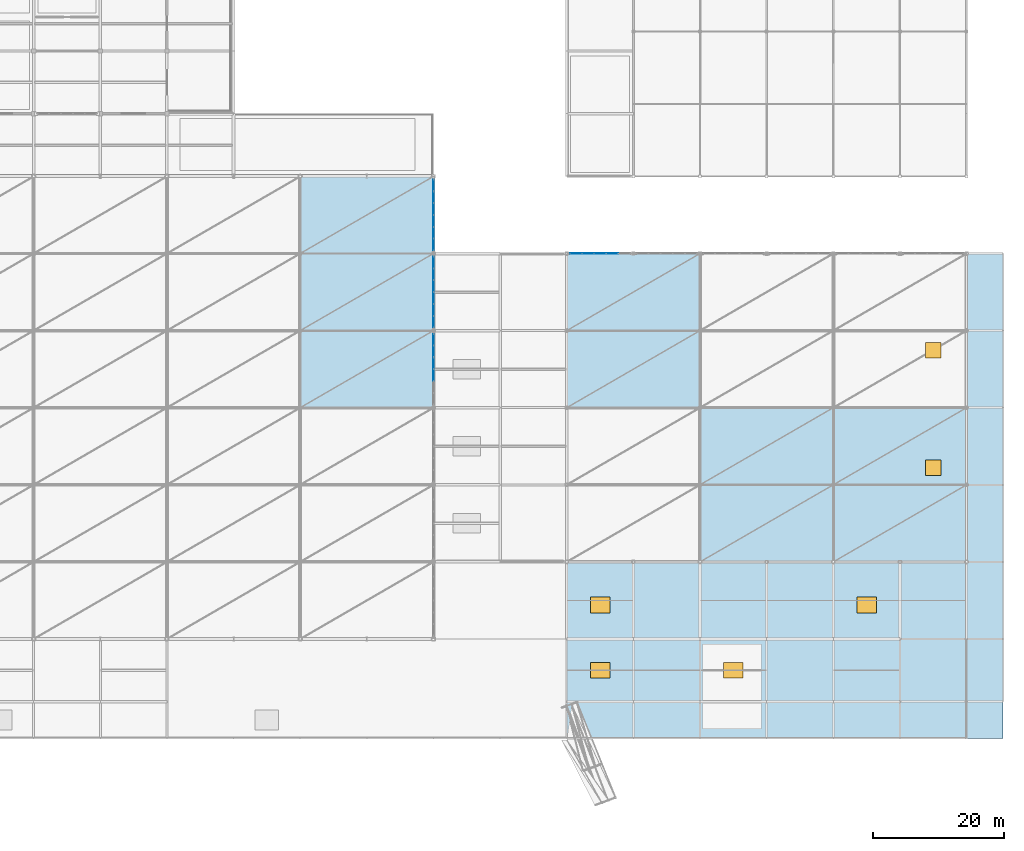
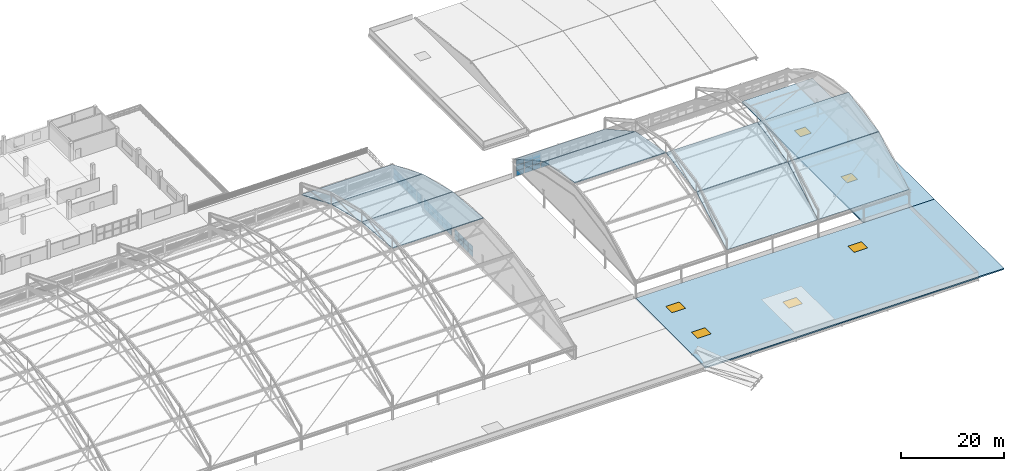
# One storey, part 111 of 135: 42 plates, 11 slabs, 6 windows, 6 openings, 4 elements without a shape of their own.
"""IFC4 building model written with IfcOpenShell, lengths in metres."""

from ifc_helpers import new_model, si_unit, direction, frame, origin, origin_2d, place, context, subcontext, project, spatial, polyline, rectangle, outline, extrude, material, layer, layer_set, type_object, element, fill, aggregate, save


model = new_model("IFC4")

# Units and contexts
model_context = context("Model", 3, precision=1e-05, world=origin(), true_north=direction((0.0, 1.0)))
body_context = subcontext(model_context, "Body", "Model", "MODEL_VIEW")
ifc_project = project(units=[si_unit("LENGTHUNIT", "METRE"), si_unit("AREAUNIT", "SQUARE_METRE"), si_unit("VOLUMEUNIT", "CUBIC_METRE"), si_unit("PLANEANGLEUNIT", "RADIAN"), si_unit("MASSUNIT", "GRAM", prefix="KILO")], contexts=[model_context])

# Site, building, storey
site_placement = place(None, origin())
site = spatial("IfcSite", under=ifc_project, at=site_placement, CompositionType="ELEMENT")
building_placement = place(site_placement, origin())
building = spatial("IfcBuilding", under=site, at=building_placement, Name="Brelvane Convention Centre", CompositionType="ELEMENT")
storey_placement = place(building_placement, frame((0.0, 0.0, 15.0)))
storey = spatial("IfcBuildingStorey", under=building, at=storey_placement, Name="L03", CompositionType="ELEMENT", Elevation=15.0)

# Curtain wall, plates
ifc_material_1 = material(Name="Anodised Aluminium Alloy 6063-T6", Category="aluminium")
curtain_wall_type_1 = type_object("IfcCurtainWallType", Name="Curtain Wall CW-HULL-N", PredefinedType="USERDEFINED", material=ifc_material_1)
curtain_wall_1_placement = place(storey_placement, origin())
curtain_wall_1 = element("IfcCurtainWall", 1, at=curtain_wall_1_placement, inside=storey, type_object=curtain_wall_type_1, Name="Curtain Wall CW-HULL-N L03-EXH-E-CLER-4", ObjectType="UNITISED", PredefinedType="USERDEFINED")
ifc_material_2 = material(Name="Double Glazed Low-E Laminated Unit")
ifc_layer_1 = layer(ifc_material_2, 0.0380859375)
ifc_layer_set_1 = layer_set([ifc_layer_1], Name="Double Glazed Low-E Laminated Unit")
plate_type_1 = type_object("IfcPlateType", Name="Curtain Panel CW-PG2", PredefinedType="CURTAIN_PANEL", material=ifc_layer_set_1)
plate_1_placement = place(storey_placement, frame((142.800048828125, 69.191650390625, 0.080078125), z_axis=(0.0, 0.0, 1.0), x_axis=(0.0, 1.0, 0.0)))
plate_1 = element("IfcPlate", 2, at=plate_1_placement, type_object=plate_type_1, Name="CW-HULL-N panel 3.1", PredefinedType="CURTAIN_PANEL", context=body_context, shape_type="SweptSolid", body=[
    extrude(rectangle(XDim=1.736572265625, YDim=0.0380859375, at=origin_2d()), origin(), (0.0, 0.0, 1.0), 1.179931640625),
])
plate_2_placement = place(storey_placement, frame((142.800048828125, 69.191650390625, 1.33984375), z_axis=(0.0, 0.0, 1.0), x_axis=(0.0, 1.0, 0.0)))
plate_2 = element("IfcPlate", 3, at=plate_2_placement, type_object=plate_type_1, Name="CW-HULL-N panel 3.2", PredefinedType="CURTAIN_PANEL", context=body_context, shape_type="SweptSolid", body=[
    extrude(rectangle(XDim=1.736572265625, YDim=0.0380859375, at=origin_2d()), origin(), (0.0, 0.0, 1.0), 1.179931640625),
])
plate_3_placement = place(storey_placement, frame((142.800048828125, 71.00830078125, 0.080078125), z_axis=(0.0, 0.0, 1.0), x_axis=(0.0, 1.0, 0.0)))
plate_3 = element("IfcPlate", 4, at=plate_3_placement, type_object=plate_type_1, Name="CW-HULL-N panel 4.1", PredefinedType="CURTAIN_PANEL", context=body_context, shape_type="SweptSolid", body=[
    extrude(rectangle(XDim=1.736572265625, YDim=0.0380859375, at=origin_2d()), origin(), (0.0, 0.0, 1.0), 1.179931640625),
])
plate_4_placement = place(storey_placement, frame((142.800048828125, 71.00830078125, 1.33984375), z_axis=(0.0, 0.0, 1.0), x_axis=(0.0, 1.0, 0.0)))
plate_4 = element("IfcPlate", 5, at=plate_4_placement, type_object=plate_type_1, Name="CW-HULL-N panel 4.2", PredefinedType="CURTAIN_PANEL", context=body_context, shape_type="SweptSolid", body=[
    extrude(rectangle(XDim=1.736572265625, YDim=0.0380859375, at=origin_2d()), origin(), (0.0, 0.0, 1.0), 1.179931640625),
])
plate_5_placement = place(storey_placement, frame((142.800048828125, 72.824951171875, 0.080078125), z_axis=(0.0, 0.0, 1.0), x_axis=(0.0, 1.0, 0.0)))
plate_5 = element("IfcPlate", 6, at=plate_5_placement, type_object=plate_type_1, Name="CW-HULL-N panel 5.1", PredefinedType="CURTAIN_PANEL", context=body_context, shape_type="SweptSolid", body=[
    extrude(rectangle(XDim=1.736572265625, YDim=0.0380859375, at=origin_2d()), origin(), (0.0, 0.0, 1.0), 1.179931640625),
])
plate_6_placement = place(storey_placement, frame((142.800048828125, 72.824951171875, 1.33984375), z_axis=(0.0, 0.0, 1.0), x_axis=(0.0, 1.0, 0.0)))
plate_6 = element("IfcPlate", 7, at=plate_6_placement, type_object=plate_type_1, Name="CW-HULL-N panel 5.2", PredefinedType="CURTAIN_PANEL", context=body_context, shape_type="SweptSolid", body=[
    extrude(rectangle(XDim=1.736572265625, YDim=0.0380859375, at=origin_2d()), origin(), (0.0, 0.0, 1.0), 1.179931640625),
])
plate_7_placement = place(storey_placement, frame((142.800048828125, 74.62158203125, 0.080078125), z_axis=(0.0, 0.0, 1.0), x_axis=(0.0, 1.0, 0.0)))
plate_7 = element("IfcPlate", 8, at=plate_7_placement, type_object=plate_type_1, Name="CW-HULL-N panel 6.1", PredefinedType="CURTAIN_PANEL", context=body_context, shape_type="SweptSolid", body=[
    extrude(rectangle(XDim=1.69677734375, YDim=0.0380859375, at=origin_2d()), origin(), (0.0, 0.0, 1.0), 1.179931640625),
])
plate_8_placement = place(storey_placement, frame((142.800048828125, 74.62158203125, 1.33984375), z_axis=(0.0, 0.0, 1.0), x_axis=(0.0, 1.0, 0.0)))
plate_8 = element("IfcPlate", 9, at=plate_8_placement, type_object=plate_type_1, Name="CW-HULL-N panel 6.2", PredefinedType="CURTAIN_PANEL", context=body_context, shape_type="SweptSolid", body=[
    extrude(rectangle(XDim=1.69677734375, YDim=0.0380859375, at=origin_2d()), origin(), (0.0, 0.0, 1.0), 1.179931640625),
])
aggregate(curtain_wall_1, [plate_1, plate_2, plate_3, plate_4, plate_5, plate_6, plate_7, plate_8])

curtain_wall_2_placement = place(storey_placement, origin())
curtain_wall_2 = element("IfcCurtainWall", 10, at=curtain_wall_2_placement, inside=storey, type_object=curtain_wall_type_1, Name="Curtain Wall CW-HULL-N L03-EXH-E-CLER-5", ObjectType="UNITISED", PredefinedType="USERDEFINED")
plate_9_placement = place(storey_placement, frame((142.800048828125, 77.37841796875, 0.080078125), z_axis=(0.0, 0.0, 1.0), x_axis=(0.0, 1.0, 0.0)))
plate_9 = element("IfcPlate", 11, at=plate_9_placement, type_object=plate_type_1, Name="CW-HULL-N panel 1.1", PredefinedType="CURTAIN_PANEL", context=body_context, shape_type="SweptSolid", body=[
    extrude(rectangle(XDim=1.69677734375, YDim=0.0380859375, at=origin_2d()), origin(), (0.0, 0.0, 1.0), 1.179931640625),
])
plate_10_placement = place(storey_placement, frame((142.800048828125, 77.37841796875, 1.33984375), z_axis=(0.0, 0.0, 1.0), x_axis=(0.0, 1.0, 0.0)))
plate_10 = element("IfcPlate", 12, at=plate_10_placement, type_object=plate_type_1, Name="CW-HULL-N panel 1.2", PredefinedType="CURTAIN_PANEL", context=body_context, shape_type="SweptSolid", body=[
    extrude(rectangle(XDim=1.69677734375, YDim=0.0380859375, at=origin_2d()), origin(), (0.0, 0.0, 1.0), 1.179931640625),
])
plate_11_placement = place(storey_placement, frame((142.800048828125, 79.175048828125, 0.080078125), z_axis=(0.0, 0.0, 1.0), x_axis=(0.0, 1.0, 0.0)))
plate_11 = element("IfcPlate", 13, at=plate_11_placement, type_object=plate_type_1, Name="CW-HULL-N panel 2.1", PredefinedType="CURTAIN_PANEL", context=body_context, shape_type="SweptSolid", body=[
    extrude(rectangle(XDim=1.736572265625, YDim=0.0380859375, at=origin_2d()), origin(), (0.0, 0.0, 1.0), 1.179931640625),
])
plate_12_placement = place(storey_placement, frame((142.800048828125, 79.175048828125, 1.33984375), z_axis=(0.0, 0.0, 1.0), x_axis=(0.0, 1.0, 0.0)))
plate_12 = element("IfcPlate", 14, at=plate_12_placement, type_object=plate_type_1, Name="CW-HULL-N panel 2.2", PredefinedType="CURTAIN_PANEL", context=body_context, shape_type="SweptSolid", body=[
    extrude(rectangle(XDim=1.736572265625, YDim=0.0380859375, at=origin_2d()), origin(), (0.0, 0.0, 1.0), 1.179931640625),
])
plate_13_placement = place(storey_placement, frame((142.800048828125, 80.99169921875, 0.080078125), z_axis=(0.0, 0.0, 1.0), x_axis=(0.0, 1.0, 0.0)))
plate_13 = element("IfcPlate", 15, at=plate_13_placement, type_object=plate_type_1, Name="CW-HULL-N panel 3.1", PredefinedType="CURTAIN_PANEL", context=body_context, shape_type="SweptSolid", body=[
    extrude(rectangle(XDim=1.736572265625, YDim=0.0380859375, at=origin_2d()), origin(), (0.0, 0.0, 1.0), 1.179931640625),
])
plate_14_placement = place(storey_placement, frame((142.800048828125, 80.99169921875, 1.33984375), z_axis=(0.0, 0.0, 1.0), x_axis=(0.0, 1.0, 0.0)))
plate_14 = element("IfcPlate", 16, at=plate_14_placement, type_object=plate_type_1, Name="CW-HULL-N panel 3.2", PredefinedType="CURTAIN_PANEL", context=body_context, shape_type="SweptSolid", body=[
    extrude(rectangle(XDim=1.736572265625, YDim=0.0380859375, at=origin_2d()), origin(), (0.0, 0.0, 1.0), 1.179931640625),
])
plate_15_placement = place(storey_placement, frame((142.800048828125, 82.808349609375, 0.080078125), z_axis=(0.0, 0.0, 1.0), x_axis=(0.0, 1.0, 0.0)))
plate_15 = element("IfcPlate", 17, at=plate_15_placement, type_object=plate_type_1, Name="CW-HULL-N panel 4.1", PredefinedType="CURTAIN_PANEL", context=body_context, shape_type="SweptSolid", body=[
    extrude(rectangle(XDim=1.736572265625, YDim=0.0380859375, at=origin_2d()), origin(), (0.0, 0.0, 1.0), 1.179931640625),
])
plate_16_placement = place(storey_placement, frame((142.800048828125, 82.808349609375, 1.33984375), z_axis=(0.0, 0.0, 1.0), x_axis=(0.0, 1.0, 0.0)))
plate_16 = element("IfcPlate", 18, at=plate_16_placement, type_object=plate_type_1, Name="CW-HULL-N panel 4.2", PredefinedType="CURTAIN_PANEL", context=body_context, shape_type="SweptSolid", body=[
    extrude(rectangle(XDim=1.736572265625, YDim=0.0380859375, at=origin_2d()), origin(), (0.0, 0.0, 1.0), 1.179931640625),
])
plate_17_placement = place(storey_placement, frame((142.800048828125, 84.625, 0.080078125), z_axis=(0.0, 0.0, 1.0), x_axis=(0.0, 1.0, 0.0)))
plate_17 = element("IfcPlate", 19, at=plate_17_placement, type_object=plate_type_1, Name="CW-HULL-N panel 5.1", PredefinedType="CURTAIN_PANEL", context=body_context, shape_type="SweptSolid", body=[
    extrude(rectangle(XDim=1.736572265625, YDim=0.0380859375, at=origin_2d()), origin(), (0.0, 0.0, 1.0), 1.179931640625),
])
plate_18_placement = place(storey_placement, frame((142.800048828125, 84.625, 1.33984375), z_axis=(0.0, 0.0, 1.0), x_axis=(0.0, 1.0, 0.0)))
plate_18 = element("IfcPlate", 20, at=plate_18_placement, type_object=plate_type_1, Name="CW-HULL-N panel 5.2", PredefinedType="CURTAIN_PANEL", context=body_context, shape_type="SweptSolid", body=[
    extrude(rectangle(XDim=1.736572265625, YDim=0.0380859375, at=origin_2d()), origin(), (0.0, 0.0, 1.0), 1.179931640625),
])
plate_19_placement = place(storey_placement, frame((142.800048828125, 86.421630859375, 0.080078125), z_axis=(0.0, 0.0, 1.0), x_axis=(0.0, 1.0, 0.0)))
plate_19 = element("IfcPlate", 21, at=plate_19_placement, type_object=plate_type_1, Name="CW-HULL-N panel 6.1", PredefinedType="CURTAIN_PANEL", context=body_context, shape_type="SweptSolid", body=[
    extrude(rectangle(XDim=1.69677734375, YDim=0.0380859375, at=origin_2d()), origin(), (0.0, 0.0, 1.0), 1.179931640625),
])
plate_20_placement = place(storey_placement, frame((142.800048828125, 86.421630859375, 1.33984375), z_axis=(0.0, 0.0, 1.0), x_axis=(0.0, 1.0, 0.0)))
plate_20 = element("IfcPlate", 22, at=plate_20_placement, type_object=plate_type_1, Name="CW-HULL-N panel 6.2", PredefinedType="CURTAIN_PANEL", context=body_context, shape_type="SweptSolid", body=[
    extrude(rectangle(XDim=1.69677734375, YDim=0.0380859375, at=origin_2d()), origin(), (0.0, 0.0, 1.0), 1.179931640625),
])
aggregate(curtain_wall_2, [plate_9, plate_10, plate_11, plate_12, plate_13, plate_14, plate_15, plate_16, plate_17, plate_18, plate_19, plate_20])

curtain_wall_3_placement = place(storey_placement, origin())
curtain_wall_3 = element("IfcCurtainWall", 23, at=curtain_wall_3_placement, inside=storey, type_object=curtain_wall_type_1, Name="Curtain Wall CW-HULL-N L03-EXH-E-CLER-6", ObjectType="UNITISED", PredefinedType="USERDEFINED")
plate_21_placement = place(storey_placement, frame((142.800048828125, 89.17822265625, 0.080078125), z_axis=(0.0, 0.0, 1.0), x_axis=(0.0, 1.0, 0.0)))
plate_21 = element("IfcPlate", 24, at=plate_21_placement, type_object=plate_type_1, Name="CW-HULL-N panel 1.1", PredefinedType="CURTAIN_PANEL", context=body_context, shape_type="SweptSolid", body=[
    extrude(rectangle(XDim=1.69677734375, YDim=0.0380859375, at=origin_2d()), origin(), (0.0, 0.0, 1.0), 1.179931640625),
])
plate_22_placement = place(storey_placement, frame((142.800048828125, 89.17822265625, 1.33984375), z_axis=(0.0, 0.0, 1.0), x_axis=(0.0, 1.0, 0.0)))
plate_22 = element("IfcPlate", 25, at=plate_22_placement, type_object=plate_type_1, Name="CW-HULL-N panel 1.2", PredefinedType="CURTAIN_PANEL", context=body_context, shape_type="SweptSolid", body=[
    extrude(rectangle(XDim=1.69677734375, YDim=0.0380859375, at=origin_2d()), origin(), (0.0, 0.0, 1.0), 1.179931640625),
])
plate_23_placement = place(storey_placement, frame((142.800048828125, 90.97509765625, 0.080078125), z_axis=(0.0, 0.0, 1.0), x_axis=(0.0, 1.0, 0.0)))
plate_23 = element("IfcPlate", 26, at=plate_23_placement, type_object=plate_type_1, Name="CW-HULL-N panel 2.1", PredefinedType="CURTAIN_PANEL", context=body_context, shape_type="SweptSolid", body=[
    extrude(rectangle(XDim=1.736572265625, YDim=0.0380859375, at=origin_2d()), origin(), (0.0, 0.0, 1.0), 1.179931640625),
])
plate_24_placement = place(storey_placement, frame((142.800048828125, 90.97509765625, 1.33984375), z_axis=(0.0, 0.0, 1.0), x_axis=(0.0, 1.0, 0.0)))
plate_24 = element("IfcPlate", 27, at=plate_24_placement, type_object=plate_type_1, Name="CW-HULL-N panel 2.2", PredefinedType="CURTAIN_PANEL", context=body_context, shape_type="SweptSolid", body=[
    extrude(rectangle(XDim=1.736572265625, YDim=0.0380859375, at=origin_2d()), origin(), (0.0, 0.0, 1.0), 1.179931640625),
])
plate_25_placement = place(storey_placement, frame((142.800048828125, 92.791748046875, 0.080078125), z_axis=(0.0, 0.0, 1.0), x_axis=(0.0, 1.0, 0.0)))
plate_25 = element("IfcPlate", 28, at=plate_25_placement, type_object=plate_type_1, Name="CW-HULL-N panel 3.1", PredefinedType="CURTAIN_PANEL", context=body_context, shape_type="SweptSolid", body=[
    extrude(rectangle(XDim=1.736572265625, YDim=0.0380859375, at=origin_2d()), origin(), (0.0, 0.0, 1.0), 1.179931640625),
])
plate_26_placement = place(storey_placement, frame((142.800048828125, 92.791748046875, 1.33984375), z_axis=(0.0, 0.0, 1.0), x_axis=(0.0, 1.0, 0.0)))
plate_26 = element("IfcPlate", 29, at=plate_26_placement, type_object=plate_type_1, Name="CW-HULL-N panel 3.2", PredefinedType="CURTAIN_PANEL", context=body_context, shape_type="SweptSolid", body=[
    extrude(rectangle(XDim=1.736572265625, YDim=0.0380859375, at=origin_2d()), origin(), (0.0, 0.0, 1.0), 1.179931640625),
])
plate_27_placement = place(storey_placement, frame((142.800048828125, 94.6083984375, 0.080078125), z_axis=(0.0, 0.0, 1.0), x_axis=(0.0, 1.0, 0.0)))
plate_27 = element("IfcPlate", 30, at=plate_27_placement, type_object=plate_type_1, Name="CW-HULL-N panel 4.1", PredefinedType="CURTAIN_PANEL", context=body_context, shape_type="SweptSolid", body=[
    extrude(rectangle(XDim=1.736572265625, YDim=0.0380859375, at=origin_2d()), origin(), (0.0, 0.0, 1.0), 1.179931640625),
])
plate_28_placement = place(storey_placement, frame((142.800048828125, 94.6083984375, 1.33984375), z_axis=(0.0, 0.0, 1.0), x_axis=(0.0, 1.0, 0.0)))
plate_28 = element("IfcPlate", 31, at=plate_28_placement, type_object=plate_type_1, Name="CW-HULL-N panel 4.2", PredefinedType="CURTAIN_PANEL", context=body_context, shape_type="SweptSolid", body=[
    extrude(rectangle(XDim=1.736572265625, YDim=0.0380859375, at=origin_2d()), origin(), (0.0, 0.0, 1.0), 1.179931640625),
])
plate_29_placement = place(storey_placement, frame((142.800048828125, 96.425048828125, 0.080078125), z_axis=(0.0, 0.0, 1.0), x_axis=(0.0, 1.0, 0.0)))
plate_29 = element("IfcPlate", 32, at=plate_29_placement, type_object=plate_type_1, Name="CW-HULL-N panel 5.1", PredefinedType="CURTAIN_PANEL", context=body_context, shape_type="SweptSolid", body=[
    extrude(rectangle(XDim=1.736572265625, YDim=0.0380859375, at=origin_2d()), origin(), (0.0, 0.0, 1.0), 1.179931640625),
])
plate_30_placement = place(storey_placement, frame((142.800048828125, 96.425048828125, 1.33984375), z_axis=(0.0, 0.0, 1.0), x_axis=(0.0, 1.0, 0.0)))
plate_30 = element("IfcPlate", 33, at=plate_30_placement, type_object=plate_type_1, Name="CW-HULL-N panel 5.2", PredefinedType="CURTAIN_PANEL", context=body_context, shape_type="SweptSolid", body=[
    extrude(rectangle(XDim=1.736572265625, YDim=0.0380859375, at=origin_2d()), origin(), (0.0, 0.0, 1.0), 1.179931640625),
])
plate_31_placement = place(storey_placement, frame((142.800048828125, 98.2216796875, 0.080078125), z_axis=(0.0, 0.0, 1.0), x_axis=(0.0, 1.0, 0.0)))
plate_31 = element("IfcPlate", 34, at=plate_31_placement, type_object=plate_type_1, Name="CW-HULL-N panel 6.1", PredefinedType="CURTAIN_PANEL", context=body_context, shape_type="SweptSolid", body=[
    extrude(rectangle(XDim=1.69677734375, YDim=0.0380859375, at=origin_2d()), origin(), (0.0, 0.0, 1.0), 1.179931640625),
])
plate_32_placement = place(storey_placement, frame((142.800048828125, 98.2216796875, 1.33984375), z_axis=(0.0, 0.0, 1.0), x_axis=(0.0, 1.0, 0.0)))
plate_32 = element("IfcPlate", 35, at=plate_32_placement, type_object=plate_type_1, Name="CW-HULL-N panel 6.2", PredefinedType="CURTAIN_PANEL", context=body_context, shape_type="SweptSolid", body=[
    extrude(rectangle(XDim=1.69677734375, YDim=0.0380859375, at=origin_2d()), origin(), (0.0, 0.0, 1.0), 1.179931640625),
])
aggregate(curtain_wall_3, [plate_21, plate_22, plate_23, plate_24, plate_25, plate_26, plate_27, plate_28, plate_29, plate_30, plate_31, plate_32])

ifc_material_3 = material(Name="Anodised Aluminium Alloy 6063-T6", Category="aluminium")
curtain_wall_type_2 = type_object("IfcCurtainWallType", Name="Curtain Wall CW-PLEN-E", PredefinedType="USERDEFINED", material=ifc_material_3)
curtain_wall_4_placement = place(storey_placement, origin())
curtain_wall_4 = element("IfcCurtainWall", 36, at=curtain_wall_4_placement, inside=storey, type_object=curtain_wall_type_2, Name="Curtain Wall CW-PLEN-E L03-PLEN-N-CLER-1", ObjectType="UNITISED", PredefinedType="USERDEFINED")
ifc_material_4 = material(Name="Double Glazed Low-E Laminated Unit")
ifc_layer_2 = layer(ifc_material_4, 0.0439453125)
ifc_layer_set_2 = layer_set([ifc_layer_2], Name="Double Glazed Low-E Laminated Unit")
plate_type_2 = type_object("IfcPlateType", Name="Curtain Panel CW-PG3", PredefinedType="CURTAIN_PANEL", material=ifc_layer_set_2)
plate_33_placement = place(storey_placement, frame((164.5986328125, 87.800048828125, 0.070068359375), z_axis=(0.0, 0.0, 1.0), x_axis=(1.0, 0.0, 0.0)))
plate_33 = element("IfcPlate", 37, at=plate_33_placement, type_object=plate_type_2, Name="CW-PLEN-E panel 1.1", PredefinedType="CURTAIN_PANEL", context=body_context, shape_type="SweptSolid", body=[
    extrude(rectangle(XDim=1.74755859375, YDim=0.0439453125, at=origin_2d()), origin(), (0.0, 0.0, 1.0), 1.16162109375),
])
plate_34_placement = place(storey_placement, frame((164.5986328125, 87.800048828125, 1.3017578125), z_axis=(0.0, 0.0, 1.0), x_axis=(1.0, 0.0, 0.0)))
plate_34 = element("IfcPlate", 38, at=plate_34_placement, type_object=plate_type_2, Name="CW-PLEN-E panel 1.2", PredefinedType="CURTAIN_PANEL", context=body_context, shape_type="SweptSolid", body=[
    extrude(rectangle(XDim=1.74755859375, YDim=0.0439453125, at=origin_2d()), origin(), (0.0, 0.0, 1.0), 1.196533203125),
])
plate_35_placement = place(storey_placement, frame((164.5986328125, 87.800048828125, 2.568359375), z_axis=(0.0, 0.0, 1.0), x_axis=(1.0, 0.0, 0.0)))
plate_35 = element("IfcPlate", 39, at=plate_35_placement, type_object=plate_type_2, Name="CW-PLEN-E panel 1.3", PredefinedType="CURTAIN_PANEL", context=body_context, shape_type="SweptSolid", body=[
    extrude(rectangle(XDim=1.74755859375, YDim=0.0439453125, at=origin_2d()), origin(), (0.0, 0.0, 1.0), 1.16162109375),
])
plate_36_placement = place(storey_placement, frame((166.43994140625, 87.800048828125, 0.070068359375), z_axis=(0.0, 0.0, 1.0), x_axis=(1.0, 0.0, 0.0)))
plate_36 = element("IfcPlate", 40, at=plate_36_placement, type_object=plate_type_2, Name="CW-PLEN-E panel 2.1", PredefinedType="CURTAIN_PANEL", context=body_context, shape_type="SweptSolid", body=[
    extrude(rectangle(XDim=1.784912109375, YDim=0.0439453125, at=origin_2d()), origin(), (0.0, 0.0, 1.0), 1.16162109375),
])
plate_37_placement = place(storey_placement, frame((166.43994140625, 87.800048828125, 1.3017578125), z_axis=(0.0, 0.0, 1.0), x_axis=(1.0, 0.0, 0.0)))
plate_37 = element("IfcPlate", 41, at=plate_37_placement, type_object=plate_type_2, Name="CW-PLEN-E panel 2.2", PredefinedType="CURTAIN_PANEL", context=body_context, shape_type="SweptSolid", body=[
    extrude(rectangle(XDim=1.784912109375, YDim=0.0439453125, at=origin_2d()), origin(), (0.0, 0.0, 1.0), 1.196533203125),
])
plate_38_placement = place(storey_placement, frame((166.43994140625, 87.800048828125, 2.568359375), z_axis=(0.0, 0.0, 1.0), x_axis=(1.0, 0.0, 0.0)))
plate_38 = element("IfcPlate", 42, at=plate_38_placement, type_object=plate_type_2, Name="CW-PLEN-E panel 2.3", PredefinedType="CURTAIN_PANEL", context=body_context, shape_type="SweptSolid", body=[
    extrude(rectangle(XDim=1.784912109375, YDim=0.0439453125, at=origin_2d()), origin(), (0.0, 0.0, 1.0), 1.16162109375),
])
plate_39_placement = place(storey_placement, frame((168.300048828125, 87.800048828125, 0.070068359375), z_axis=(0.0, 0.0, 1.0), x_axis=(1.0, 0.0, 0.0)))
plate_39 = element("IfcPlate", 43, at=plate_39_placement, type_object=plate_type_2, Name="CW-PLEN-E panel 3.1", PredefinedType="CURTAIN_PANEL", context=body_context, shape_type="SweptSolid", body=[
    extrude(rectangle(XDim=1.784912109375, YDim=0.0439453125, at=origin_2d()), origin(), (0.0, 0.0, 1.0), 1.16162109375),
])
plate_40_placement = place(storey_placement, frame((168.300048828125, 87.800048828125, 1.3017578125), z_axis=(0.0, 0.0, 1.0), x_axis=(1.0, 0.0, 0.0)))
plate_40 = element("IfcPlate", 44, at=plate_40_placement, type_object=plate_type_2, Name="CW-PLEN-E panel 3.2", PredefinedType="CURTAIN_PANEL", context=body_context, shape_type="SweptSolid", body=[
    extrude(rectangle(XDim=1.784912109375, YDim=0.0439453125, at=origin_2d()), origin(), (0.0, 0.0, 1.0), 1.196533203125),
])
plate_41_placement = place(storey_placement, frame((168.300048828125, 87.800048828125, 2.568359375), z_axis=(0.0, 0.0, 1.0), x_axis=(1.0, 0.0, 0.0)))
plate_41 = element("IfcPlate", 45, at=plate_41_placement, type_object=plate_type_2, Name="CW-PLEN-E panel 3.3", PredefinedType="CURTAIN_PANEL", context=body_context, shape_type="SweptSolid", body=[
    extrude(rectangle(XDim=1.784912109375, YDim=0.0439453125, at=origin_2d()), origin(), (0.0, 0.0, 1.0), 1.16162109375),
])
plate_42_placement = place(storey_placement, frame((170.159912109375, 87.800048828125, 0.070068359375), z_axis=(0.0, 0.0, 1.0), x_axis=(1.0, 0.0, 0.0)))
plate_42 = element("IfcPlate", 46, at=plate_42_placement, type_object=plate_type_2, Name="CW-PLEN-E panel 4.1", PredefinedType="CURTAIN_PANEL", context=body_context, shape_type="SweptSolid", body=[
    extrude(rectangle(XDim=1.784912109375, YDim=0.0439453125, at=origin_2d()), origin(), (0.0, 0.0, 1.0), 1.16162109375),
])
aggregate(curtain_wall_4, [plate_33, plate_34, plate_35, plate_36, plate_37, plate_38, plate_39, plate_40, plate_41, plate_42])

# Slab, openings, windows
ifc_material_5 = material(Name="Concrete M40", Category="concrete")
ifc_layer_3 = layer(ifc_material_5, 0.300048828125)
ifc_layer_set_3 = layer_set([ifc_layer_3], Name="Concrete M40")
slab_type_1 = type_object("IfcSlabType", Name="Structural Slab SL-ROOF-230", PredefinedType="ROOF", material=ifc_layer_set_3)
slab_1_placement = place(storey_placement, frame((0.0, 0.0, -0.300048828125)))
slab_1 = element("IfcSlab", 47, at=slab_1_placement, inside=storey, type_object=slab_type_1, Name="L03 LowRoof Slab V5-LOW-ROOF", PredefinedType="ROOF", context=body_context, shape_type="SweptSolid", body=[
    extrude(outline(polyline([(163.199951171875, 13.60009765625), (230.0, 13.60009765625), (230.0, 40.60009765625), (163.199951171875, 40.60009765625), (163.199951171875, 13.60009765625)])), origin(), (0.0, 0.0, 1.0), 0.300048828125),
])
opening_1_placement = place(slab_1_placement, frame((168.300048828125, 24.0, 0.0)))
opening_1 = element("IfcOpeningElement", 48, at=opening_1_placement, cuts=slab_1, Name="Opening SK-01", PredefinedType="OPENING", context=body_context, shape_type="SweptSolid", body=[
    extrude(rectangle(XDim=3.0, YDim=2.39990234375, at=origin_2d()), origin(), (0.0, 0.0, 1.0), 0.300048828125),
])
opening_2_placement = place(slab_1_placement, frame((188.699951171875, 24.0, 0.0)))
opening_2 = element("IfcOpeningElement", 49, at=opening_2_placement, cuts=slab_1, Name="Opening SK-01", PredefinedType="OPENING", context=body_context, shape_type="SweptSolid", body=[
    extrude(rectangle(XDim=3.0, YDim=2.39990234375, at=origin_2d()), origin(), (0.0, 0.0, 1.0), 0.300048828125),
])
opening_3_placement = place(slab_1_placement, frame((209.10009765625, 34.0, 0.0)))
opening_3 = element("IfcOpeningElement", 50, at=opening_3_placement, cuts=slab_1, Name="Opening SK-01", PredefinedType="OPENING", context=body_context, shape_type="SweptSolid", body=[
    extrude(rectangle(XDim=3.0, YDim=2.39990234375, at=origin_2d()), origin(), (0.0, 0.0, 1.0), 0.300048828125),
])
opening_4_placement = place(slab_1_placement, frame((168.300048828125, 34.0, 0.0)))
opening_4 = element("IfcOpeningElement", 51, at=opening_4_placement, cuts=slab_1, Name="Opening SK-01", PredefinedType="OPENING", context=body_context, shape_type="SweptSolid", body=[
    extrude(rectangle(XDim=3.0, YDim=2.39990234375, at=origin_2d()), origin(), (0.0, 0.0, 1.0), 0.300048828125),
])
ifc_material_6 = material(Name="Double Glazed Low-E Laminated Unit")
window_type_1 = type_object("IfcWindowType", Name="Window SK-01", PartitioningType="SINGLE_PANEL", PredefinedType="SKYLIGHT", material=ifc_material_6)
window_1_placement = place(opening_1_placement, frame((0.0, 0.0, 0.25)))
window_1 = element("IfcWindow", 52, at=window_1_placement, inside=storey, type_object=window_type_1, Name="Roof Skylight L03-SK08", OverallHeight=2.39990234375, OverallWidth=3.0, PartitioningType="SINGLE_PANEL", PredefinedType="SKYLIGHT", context=body_context, shape_type="SweptSolid", body=[
    extrude(rectangle(XDim=3.0, YDim=2.39990234375, at=origin_2d()), origin(), (0.0, 0.0, 1.0), 0.050048828125),
])
fill(opening_1, window_1)
window_2_placement = place(opening_2_placement, frame((0.0, 0.0, 0.25)))
window_2 = element("IfcWindow", 53, at=window_2_placement, inside=storey, type_object=window_type_1, Name="Roof Skylight L03-SK09", OverallHeight=2.39990234375, OverallWidth=3.0, PartitioningType="SINGLE_PANEL", PredefinedType="SKYLIGHT", context=body_context, shape_type="SweptSolid", body=[
    extrude(rectangle(XDim=3.0, YDim=2.39990234375, at=origin_2d()), origin(), (0.0, 0.0, 1.0), 0.050048828125),
])
fill(opening_2, window_2)
window_3_placement = place(opening_3_placement, frame((0.0, 0.0, 0.25)))
window_3 = element("IfcWindow", 54, at=window_3_placement, inside=storey, type_object=window_type_1, Name="Roof Skylight L03-SK10", OverallHeight=2.39990234375, OverallWidth=3.0, PartitioningType="SINGLE_PANEL", PredefinedType="SKYLIGHT", context=body_context, shape_type="SweptSolid", body=[
    extrude(rectangle(XDim=3.0, YDim=2.39990234375, at=origin_2d()), origin(), (0.0, 0.0, 1.0), 0.050048828125),
])
fill(opening_3, window_3)
window_4_placement = place(opening_4_placement, frame((0.0, 0.0, 0.25)))
window_4 = element("IfcWindow", 55, at=window_4_placement, inside=storey, type_object=window_type_1, Name="Roof Skylight L03-SK11", OverallHeight=2.39990234375, OverallWidth=3.0, PartitioningType="SINGLE_PANEL", PredefinedType="SKYLIGHT", context=body_context, shape_type="SweptSolid", body=[
    extrude(rectangle(XDim=3.0, YDim=2.39990234375, at=origin_2d()), origin(), (0.0, 0.0, 1.0), 0.050048828125),
])
fill(opening_4, window_4)

slab_2_placement = place(storey_placement, frame((0.0, 0.0, -0.300048828125)))
slab_2 = element("IfcSlab", 56, at=slab_2_placement, inside=storey, type_object=slab_type_1, Name="L03 LowRoof Slab PLEN-EAST-ROOF", PredefinedType="ROOF", context=body_context, shape_type="SweptSolid", body=[
    extrude(outline(polyline([(214.199951171875, 40.60009765625), (230.0, 40.60009765625), (230.0, 87.800048828125), (214.199951171875, 87.800048828125), (214.199951171875, 40.60009765625)])), origin(), (0.0, 0.0, 1.0), 0.300048828125),
])
opening_5_placement = place(slab_2_placement, frame((219.300048828125, 55.0, 0.0)))
opening_5 = element("IfcOpeningElement", 57, at=opening_5_placement, cuts=slab_2, Name="Opening SK-04", PredefinedType="OPENING", context=body_context, shape_type="SweptSolid", body=[
    extrude(rectangle(XDim=2.39990234375, YDim=2.39990234375, at=origin_2d()), origin(), (0.0, 0.0, 1.0), 0.300048828125),
])
opening_6_placement = place(slab_2_placement, frame((219.300048828125, 73.0, 0.0)))
opening_6 = element("IfcOpeningElement", 58, at=opening_6_placement, cuts=slab_2, Name="Opening SK-04", PredefinedType="OPENING", context=body_context, shape_type="SweptSolid", body=[
    extrude(rectangle(XDim=2.39990234375, YDim=2.39990234375, at=origin_2d()), origin(), (0.0, 0.0, 1.0), 0.300048828125),
])
ifc_material_7 = material(Name="Double Glazed Low-E Laminated Unit")
window_type_2 = type_object("IfcWindowType", Name="Window SK-04", PartitioningType="SINGLE_PANEL", PredefinedType="SKYLIGHT", material=ifc_material_7)
window_5_placement = place(opening_5_placement, frame((0.0, 0.0, 0.25)))
window_5 = element("IfcWindow", 59, at=window_5_placement, inside=storey, type_object=window_type_2, Name="Roof Skylight L03-SK15", OverallHeight=2.39990234375, OverallWidth=2.39990234375, PartitioningType="SINGLE_PANEL", PredefinedType="SKYLIGHT", context=body_context, shape_type="SweptSolid", body=[
    extrude(rectangle(XDim=2.39990234375, YDim=2.39990234375, at=origin_2d()), origin(), (0.0, 0.0, 1.0), 0.050048828125),
])
fill(opening_5, window_5)
window_6_placement = place(opening_6_placement, frame((0.0, 0.0, 0.25)))
window_6 = element("IfcWindow", 60, at=window_6_placement, inside=storey, type_object=window_type_2, Name="Roof Skylight L03-SK16", OverallHeight=2.39990234375, OverallWidth=2.39990234375, PartitioningType="SINGLE_PANEL", PredefinedType="SKYLIGHT", context=body_context, shape_type="SweptSolid", body=[
    extrude(rectangle(XDim=2.39990234375, YDim=2.39990234375, at=origin_2d()), origin(), (0.0, 0.0, 1.0), 0.050048828125),
])
fill(opening_6, window_6)

# Slabs
ifc_material_8 = material(Name="Steel E350 (350 MPa)", Category="steel")
ifc_layer_4 = layer(ifc_material_8, 0.179931640625)
ifc_layer_set_4 = layer_set([ifc_layer_4], Name="Steel E350 (350 MPa)")
slab_type_2 = type_object("IfcSlabType", Name="Structural Slab SL-ROOF-SF-180", PredefinedType="ROOF", material=ifc_layer_set_4)
slab_3_placement = place(storey_placement, frame((122.419921875, 64.239990234375, 11.800048828125), z_axis=(0.0, 0.082583310202, 0.996584164472), x_axis=(1.0, 0.0, 0.0)))
element("IfcSlab", 61, at=slab_3_placement, inside=storey, type_object=slab_type_2, Name="SF_EXH Space-Frame Roof Panel B7-F4", PredefinedType="ROOF", context=body_context, shape_type="SweptSolid", body=[
    extrude(outline(polyline([(0.0, 0.0), (20.360107421875, 0.0), (20.360107421875, 11.760141411976395), (0.0, 11.760141411976395), (0.0, 0.0)])), origin(), (0.0, 0.0, -1.0), 0.179931640625),
])
slab_4_placement = place(storey_placement, frame((122.419921875, 76.0400390625, 10.815673828125), z_axis=(0.0, 0.24125587014, 0.970461542321), x_axis=(1.0, 0.0, 0.0)))
element("IfcSlab", 62, at=slab_4_placement, inside=storey, type_object=slab_type_2, Name="SF_EXH Space-Frame Roof Panel B7-F5", PredefinedType="ROOF", context=body_context, shape_type="SweptSolid", body=[
    extrude(outline(polyline([(0.0, 0.0), (20.360107421875, 0.0), (20.360107421875, 12.076697727867208), (0.0, 12.076697727867208), (0.0, 0.0)])), origin(), (0.0, 0.0, -1.0), 0.179931640625),
])
slab_5_placement = place(storey_placement, frame((122.419921875, 87.840087890625, 7.87548828125), z_axis=(0.0, 0.382743847584, 0.923854505394), x_axis=(1.0, 0.0, 0.0)))
element("IfcSlab", 63, at=slab_5_placement, inside=storey, type_object=slab_type_2, Name="SF_EXH Space-Frame Roof Panel B7-F6", PredefinedType="ROOF", context=body_context, shape_type="SweptSolid", body=[
    extrude(outline(polyline([(0.0, 0.0), (20.360107421875, 0.0), (20.360107421875, 12.685948528365344), (0.0, 12.685948528365344), (0.0, 0.0)])), origin(), (0.0, 0.0, -1.0), 0.179931640625),
])
slab_6_placement = place(storey_placement, frame((163.219970703125, 64.239990234375, 13.0), z_axis=(0.0, 0.183280751466, 0.983060611632), x_axis=(1.0, 0.0, 0.0)))
element("IfcSlab", 64, at=slab_6_placement, inside=storey, type_object=slab_type_2, Name="SF_PLEN Space-Frame Roof Panel B1-F3", PredefinedType="ROOF", context=body_context, shape_type="SweptSolid", body=[
    extrude(outline(polyline([(0.0, 0.0), (20.360107421875, 0.0), (20.360107421875, 11.921920748781591), (0.0, 11.921920748781591), (0.0, 0.0)])), origin(), (0.0, 0.0, -1.0), 0.179931640625),
])
slab_7_placement = place(storey_placement, frame((163.219970703125, 76.0400390625, 10.78515625), z_axis=(0.0, 0.488163189365, 0.872752370692), x_axis=(1.0, 0.0, 0.0)))
element("IfcSlab", 65, at=slab_7_placement, inside=storey, type_object=slab_type_2, Name="SF_PLEN Space-Frame Roof Panel B1-F4", PredefinedType="ROOF", context=body_context, shape_type="SweptSolid", body=[
    extrude(outline(polyline([(0.0, 0.0), (20.360107421875, 0.0), (20.360107421875, 13.428746912285746), (0.0, 13.428746912285746), (0.0, 0.0)])), origin(), (0.0, 0.0, -1.0), 0.179931640625),
])
slab_8_placement = place(storey_placement, frame((183.6201171875, 40.639892578125, 4.229736328125), z_axis=(0.0, -0.488155443769, 0.87275670305), x_axis=(1.0, 0.0, 0.0)))
element("IfcSlab", 66, at=slab_8_placement, inside=storey, type_object=slab_type_2, Name="SF_PLEN Space-Frame Roof Panel B2-F1", PredefinedType="ROOF", context=body_context, shape_type="SweptSolid", body=[
    extrude(outline(polyline([(0.0, 0.0), (20.35986328125, 0.0), (20.35986328125, 13.428959987123854), (0.0, 13.428959987123854), (0.0, 0.0)])), origin(), (0.0, 0.0, -1.0), 0.179931640625),
])
slab_9_placement = place(storey_placement, frame((183.6201171875, 52.43994140625, 10.81494140625), z_axis=(0.0, -0.183280751466, 0.983060611632), x_axis=(1.0, 0.0, 0.0)))
element("IfcSlab", 67, at=slab_9_placement, inside=storey, type_object=slab_type_2, Name="SF_PLEN Space-Frame Roof Panel B2-F2", PredefinedType="ROOF", context=body_context, shape_type="SweptSolid", body=[
    extrude(outline(polyline([(0.0, 0.0), (20.35986328125, 0.0), (20.35986328125, 11.921920748781591), (0.0, 11.921920748781591), (0.0, 0.0)])), origin(), (0.0, 0.0, -1.0), 0.179931640625),
])
slab_10_placement = place(storey_placement, frame((204.02001953125, 40.639892578125, 4.229736328125), z_axis=(0.0, -0.488155443769, 0.87275670305), x_axis=(1.0, 0.0, 0.0)))
element("IfcSlab", 68, at=slab_10_placement, inside=storey, type_object=slab_type_2, Name="SF_PLEN Space-Frame Roof Panel B3-F1", PredefinedType="ROOF", context=body_context, shape_type="SweptSolid", body=[
    extrude(outline(polyline([(0.0, 0.0), (20.35986328125, 0.0), (20.35986328125, 13.428959987123854), (0.0, 13.428959987123854), (0.0, 0.0)])), origin(), (0.0, 0.0, -1.0), 0.179931640625),
])
slab_11_placement = place(storey_placement, frame((204.02001953125, 52.43994140625, 10.81494140625), z_axis=(0.0, -0.183280751466, 0.983060611632), x_axis=(1.0, 0.0, 0.0)))
element("IfcSlab", 69, at=slab_11_placement, inside=storey, type_object=slab_type_2, Name="SF_PLEN Space-Frame Roof Panel B3-F2", PredefinedType="ROOF", context=body_context, shape_type="SweptSolid", body=[
    extrude(outline(polyline([(0.0, 0.0), (20.35986328125, 0.0), (20.35986328125, 11.921920748781591), (0.0, 11.921920748781591), (0.0, 0.0)])), origin(), (0.0, 0.0, -1.0), 0.179931640625),
])

save(model, "model.ifc")
